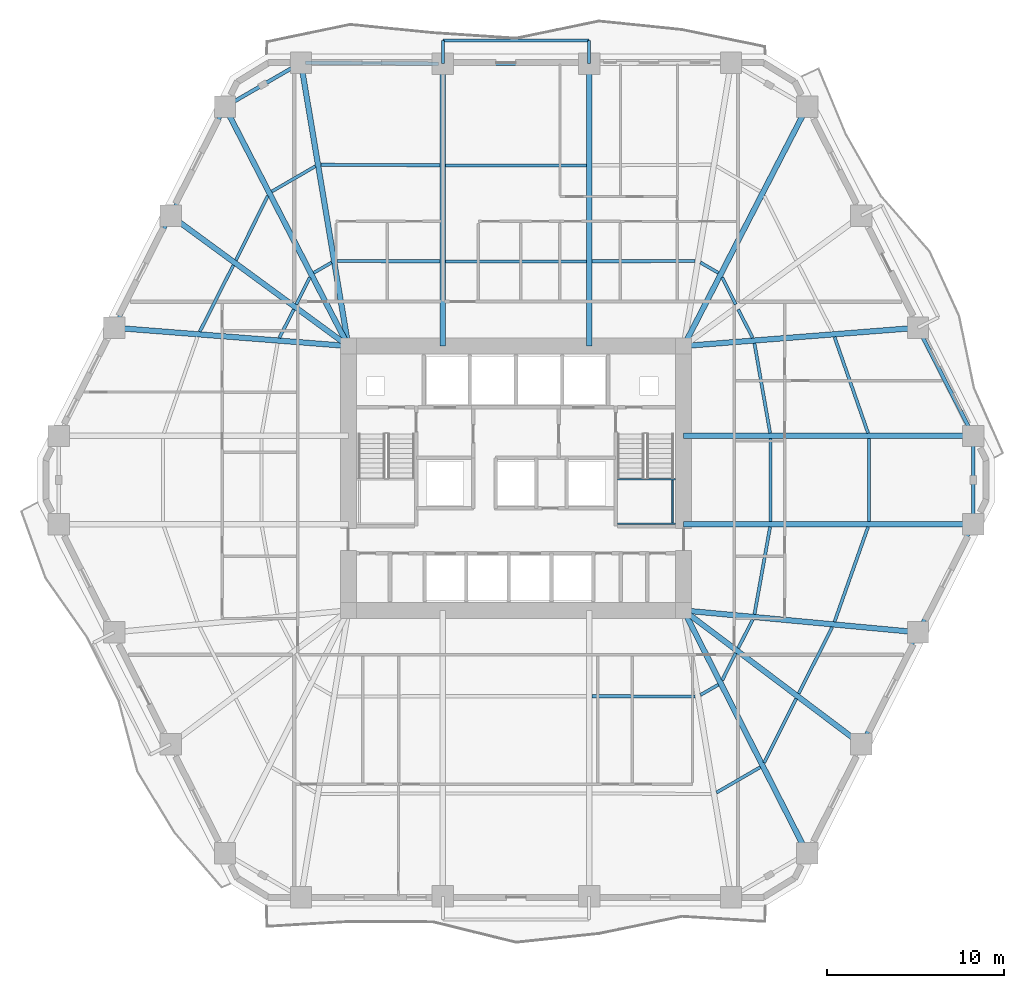
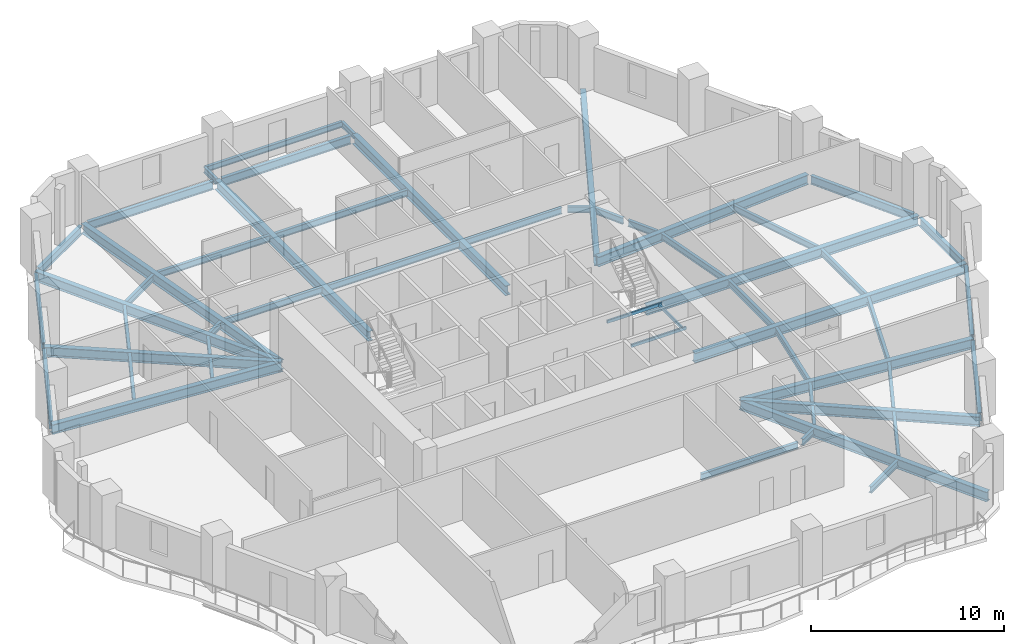
# One storey, part 2 of 11: 55 beams.
"""IFC4 building model written with IfcOpenShell, lengths in metres."""

from ifc_helpers import new_model, si_unit, direction, frame, origin, origin_2d, place, context, subcontext, project, spatial, hollow_rectangle, i_section, extrude, material, material_profile, profile_set, type_object, element, save


model = new_model("IFC4")

# Units and contexts
model_context = context("Model", 3, precision=1e-05, world=origin(), true_north=direction((0.0, 1.0)))
body_context = subcontext(model_context, "Body", "Model", "MODEL_VIEW")
ifc_project = project(units=[si_unit("LENGTHUNIT", "METRE"), si_unit("AREAUNIT", "SQUARE_METRE"), si_unit("VOLUMEUNIT", "CUBIC_METRE"), si_unit("PLANEANGLEUNIT", "RADIAN"), si_unit("MASSUNIT", "GRAM", prefix="KILO")], contexts=[model_context])

# Site, building, storey
site_placement = place(None, origin())
site = spatial("IfcSite", under=ifc_project, at=site_placement, CompositionType="ELEMENT")
building_placement = place(site_placement, origin())
building = spatial("IfcBuilding", under=site, at=building_placement, Name="Cinnabar Lancet Tower", CompositionType="ELEMENT")
storey_placement = place(building_placement, frame((0.0, 0.0, 46.199951171875)))
storey = spatial("IfcBuildingStorey", under=building, at=storey_placement, Name="L11", CompositionType="ELEMENT", Elevation=46.199951171875)

# Beams
ifc_material_1 = material(Name="Structural steel S355", Category="steel")
ifc_material_profile_1 = material_profile(ifc_material_1, i_section(OverallWidth=0.177978515625, OverallDepth=0.406494140625, WebThickness=0.0078125, FlangeThickness=0.0126953125, FilletRadius=0.01025390625, at=origin_2d()), Name="UKB 406x178x60")
ifc_profile_set_1 = profile_set([ifc_material_profile_1], Name="Structural steel S355")
beam_type_1 = type_object("IfcBeamType", Name="STR-BM-JST-406", PredefinedType="JOIST", material=ifc_profile_set_1)
beam_1_placement = place(storey_placement, frame((36.676025390625, 13.616943359375, -0.4228515625), z_axis=(0.999996723732, -0.002559790187, 0.0), x_axis=(0.002559790187, 0.999996723732, 0.0)))
element("IfcBeam", 1, at=beam_1_placement, inside=storey, type_object=beam_type_1, Name="L11 Secondary Floor Joist 14", PredefinedType="JOIST", context=body_context, shape_type="SweptSolid", body=[
    extrude(i_section(OverallWidth=0.177978515625, OverallDepth=0.406494140625, WebThickness=0.0078125, FlangeThickness=0.0126953125, FilletRadius=0.01025390625, at=origin_2d()), origin(), (0.0, 0.0, 1.0), 5.81787109375),
])
beam_2_placement = place(storey_placement, frame((43.698974609375, 8.18896484375, -0.4228515625), z_axis=(0.865076496111, 0.501639966387, 0.0), x_axis=(-0.501639966387, 0.865076496111, 0.0)))
element("IfcBeam", 2, at=beam_2_placement, inside=storey, type_object=beam_type_1, Name="L11 Secondary Floor Joist 15", PredefinedType="JOIST", context=body_context, shape_type="SweptSolid", body=[
    extrude(i_section(OverallWidth=0.177978515625, OverallDepth=0.406494140625, WebThickness=0.0078125, FlangeThickness=0.0126953125, FilletRadius=0.01025390625, at=origin_2d()), origin(), (0.0, 0.0, 1.0), 2.85302734375),
])
beam_3_placement = place(storey_placement, frame((42.7919921875, 13.68408203125, -0.4228515625), z_axis=(0.865192550274, 0.50143977799, 0.0), x_axis=(-0.50143977799, 0.865192550274, 0.0)))
element("IfcBeam", 3, at=beam_3_placement, inside=storey, type_object=beam_type_1, Name="L11 Secondary Floor Joist 16", PredefinedType="JOIST", context=body_context, shape_type="SweptSolid", body=[
    extrude(i_section(OverallWidth=0.177978515625, OverallDepth=0.406494140625, WebThickness=0.0078125, FlangeThickness=0.0126953125, FilletRadius=0.01025390625, at=origin_2d()), origin(), (0.0, 0.0, 1.0), 1.16845703125),
])
beam_4_placement = place(storey_placement, frame((46.385009765625, 9.867919921875, -0.4228515625), z_axis=(0.445835127839, 0.895115098065, 0.0), x_axis=(-0.895115098065, 0.445835127839, 0.0)))
element("IfcBeam", 4, at=beam_4_placement, inside=storey, type_object=beam_type_1, Name="L11 Secondary Floor Joist 17", PredefinedType="JOIST", context=body_context, shape_type="SweptSolid", body=[
    extrude(i_section(OverallWidth=0.177978515625, OverallDepth=0.406494140625, WebThickness=0.0078125, FlangeThickness=0.0126953125, FilletRadius=0.01025390625, at=origin_2d()), origin(), (0.0, 0.0, 1.0), 4.03955078125),
])
beam_5_placement = place(storey_placement, frame((44.02099609375, 14.51806640625, -0.4228515625), z_axis=(0.44578468599, 0.895140220154, 0.0), x_axis=(-0.895140220154, 0.44578468599, 0.0)))
element("IfcBeam", 5, at=beam_5_placement, inside=storey, type_object=beam_type_1, Name="L11 Secondary Floor Joist 18", PredefinedType="JOIST", context=body_context, shape_type="SweptSolid", body=[
    extrude(i_section(OverallWidth=0.177978515625, OverallDepth=0.406494140625, WebThickness=0.0078125, FlangeThickness=0.0126953125, FilletRadius=0.01025390625, at=origin_2d()), origin(), (0.0, 0.0, 1.0), 1.709228515625),
])
beam_6_placement = place(storey_placement, frame((48.325927734375, 13.762939453125, -0.4228515625), z_axis=(0.450717414682, 0.892666685893, 0.0), x_axis=(-0.892666685893, 0.450717414682, 0.0)))
element("IfcBeam", 6, at=beam_6_placement, inside=storey, type_object=beam_type_1, Name="L11 Secondary Floor Joist 19", PredefinedType="JOIST", context=body_context, shape_type="SweptSolid", body=[
    extrude(i_section(OverallWidth=0.177978515625, OverallDepth=0.406494140625, WebThickness=0.0078125, FlangeThickness=0.0126953125, FilletRadius=0.01025390625, at=origin_2d()), origin(), (0.0, 0.0, 1.0), 4.204345703125),
])
beam_7_placement = place(storey_placement, frame((44.923095703125, 16.326904296875, -0.4228515625), z_axis=(0.450411488104, 0.892821085875, 0.0), x_axis=(-0.892821085875, 0.450411488104, 0.0)))
element("IfcBeam", 7, at=beam_7_placement, inside=storey, type_object=beam_type_1, Name="L11 Secondary Floor Joist 20", PredefinedType="JOIST", context=body_context, shape_type="SweptSolid", body=[
    extrude(i_section(OverallWidth=0.177978515625, OverallDepth=0.406494140625, WebThickness=0.0078125, FlangeThickness=0.0126953125, FilletRadius=0.01025390625, at=origin_2d()), origin(), (0.0, 0.0, 1.0), 1.800048828125),
])
beam_8_placement = place(storey_placement, frame((50.347900390625, 17.81201171875, -0.4228515625), z_axis=(0.333387390151, 0.942789927867, 0.0), x_axis=(-0.942789927867, 0.333387390151, 0.0)))
element("IfcBeam", 8, at=beam_8_placement, inside=storey, type_object=beam_type_1, Name="L11 Secondary Floor Joist 21", PredefinedType="JOIST", context=body_context, shape_type="SweptSolid", body=[
    extrude(i_section(OverallWidth=0.177978515625, OverallDepth=0.406494140625, WebThickness=0.0078125, FlangeThickness=0.0126953125, FilletRadius=0.01025390625, at=origin_2d()), origin(), (0.0, 0.0, 1.0), 5.67236328125),
])
beam_9_placement = place(storey_placement, frame((45.8359375, 18.23291015625, -0.4228515625), z_axis=(0.176227857104, 0.984349400559, 0.0), x_axis=(-0.984349400559, 0.176227857104, 0.0)))
element("IfcBeam", 9, at=beam_9_placement, inside=storey, type_object=beam_type_1, Name="L11 Secondary Floor Joist 22", PredefinedType="JOIST", context=body_context, shape_type="SweptSolid", body=[
    extrude(i_section(OverallWidth=0.177978515625, OverallDepth=0.406494140625, WebThickness=0.0078125, FlangeThickness=0.0126953125, FilletRadius=0.01025390625, at=origin_2d()), origin(), (0.0, 0.0, 1.0), 5.00537109375),
])
for number, where, z_axis, x_axis, name in (
    (10, (52.2939453125, 23.468017578125, -0.4228515625), (0.0, 1.0, 0.0), (-1.0, 0.0, 0.0), "L11 Secondary Floor Joist 23"),
    (11, (46.7451171875, 23.468017578125, -0.4228515625), (0.0, 1.0, 0.0), (-1.0, 0.0, 0.0), "L11 Secondary Floor Joist 24"),
):
    element("IfcBeam", number, at=place(storey_placement, frame(where, z_axis=z_axis, x_axis=x_axis)), inside=storey, type_object=beam_type_1, Name=name, PredefinedType="JOIST", context=body_context, shape_type="SweptSolid", body=[
        extrude(i_section(OverallWidth=0.177978515625, OverallDepth=0.406494140625, WebThickness=0.0078125, FlangeThickness=0.0126953125, FilletRadius=0.01025390625, at=origin_2d()), origin(), (0.0, 0.0, 1.0), 4.6640625),
    ])
beam_10_placement = place(storey_placement, frame((52.239990234375, 28.43994140625, -0.4228515625), z_axis=(-0.329645522599, 0.944104776723, 0.0), x_axis=(-0.944104776723, -0.329645522599, 0.0)))
element("IfcBeam", 12, at=beam_10_placement, inside=storey, type_object=beam_type_1, Name="L11 Secondary Floor Joist 25", PredefinedType="JOIST", context=body_context, shape_type="SweptSolid", body=[
    extrude(i_section(OverallWidth=0.177978515625, OverallDepth=0.406494140625, WebThickness=0.0078125, FlangeThickness=0.0126953125, FilletRadius=0.01025390625, at=origin_2d()), origin(), (0.0, 0.0, 1.0), 5.73974609375),
])
beam_11_placement = place(storey_placement, frame((46.718994140625, 28.43994140625, -0.4228515625), z_axis=(-0.171867959611, 0.985119994954, 0.0), x_axis=(-0.985119994954, -0.171867959611, 0.0)))
element("IfcBeam", 13, at=beam_11_placement, inside=storey, type_object=beam_type_1, Name="L11 Secondary Floor Joist 26", PredefinedType="JOIST", context=body_context, shape_type="SweptSolid", body=[
    extrude(i_section(OverallWidth=0.177978515625, OverallDepth=0.406494140625, WebThickness=0.0078125, FlangeThickness=0.0126953125, FilletRadius=0.01025390625, at=origin_2d()), origin(), (0.0, 0.0, 1.0), 5.1435546875),
])
beam_12_placement = place(storey_placement, frame((45.73388671875, 33.806884765625, -0.4228515625), z_axis=(-0.450629740029, 0.892710948405, 0.0), x_axis=(-0.892710948405, -0.450629740029, 0.0)))
element("IfcBeam", 14, at=beam_12_placement, inside=storey, type_object=beam_type_1, Name="L11 Secondary Floor Joist 28", PredefinedType="JOIST", context=body_context, shape_type="SweptSolid", body=[
    extrude(i_section(OverallWidth=0.177978515625, OverallDepth=0.406494140625, WebThickness=0.0078125, FlangeThickness=0.0126953125, FilletRadius=0.01025390625, at=origin_2d()), origin(), (0.0, 0.0, 1.0), 1.79931640625),
])
beam_13_placement = place(storey_placement, frame((44.782958984375, 35.69189453125, -0.4228515625), z_axis=(-0.445556802404, 0.895253671219, 0.0), x_axis=(-0.895253671219, -0.445556802404, 0.0)))
element("IfcBeam", 15, at=beam_13_placement, inside=storey, type_object=beam_type_1, Name="L11 Secondary Floor Joist 30", PredefinedType="JOIST", context=body_context, shape_type="SweptSolid", body=[
    extrude(i_section(OverallWidth=0.177978515625, OverallDepth=0.406494140625, WebThickness=0.0078125, FlangeThickness=0.0126953125, FilletRadius=0.01025390625, at=origin_2d()), origin(), (0.0, 0.0, 1.0), 1.710205078125),
])
beam_14_placement = place(storey_placement, frame((43.802978515625, 37.469970703125, -0.4228515625), z_axis=(-0.865192550274, 0.50143977799, 0.0), x_axis=(-0.50143977799, -0.865192550274, 0.0)))
element("IfcBeam", 16, at=beam_14_placement, inside=storey, type_object=beam_type_1, Name="L11 Secondary Floor Joist 32", PredefinedType="JOIST", context=body_context, shape_type="SweptSolid", body=[
    extrude(i_section(OverallWidth=0.177978515625, OverallDepth=0.406494140625, WebThickness=0.0078125, FlangeThickness=0.0126953125, FilletRadius=0.01025390625, at=origin_2d()), origin(), (0.0, 0.0, 1.0), 1.16845703125),
])
beam_15_placement = place(storey_placement, frame((42.493896484375, 38.137939453125, -0.4228515625), z_axis=(-0.999996723732, -0.002559790187, 0.0), x_axis=(0.002559790187, -0.999996723732, 0.0)))
element("IfcBeam", 17, at=beam_15_placement, inside=storey, type_object=beam_type_1, Name="L11 Secondary Floor Joist 34", PredefinedType="JOIST", context=body_context, shape_type="SweptSolid", body=[
    extrude(i_section(OverallWidth=0.177978515625, OverallDepth=0.406494140625, WebThickness=0.0078125, FlangeThickness=0.0126953125, FilletRadius=0.01025390625, at=origin_2d()), origin(), (0.0, 0.0, 1.0), 5.81787109375),
])
for number, where, z_axis, x_axis, name in (
    (18, (36.367919921875, 43.531005859375, -0.4228515625), (-1.0, 0.0, 0.0), (0.0, -1.0, 0.0), "L11 Secondary Floor Joist 35"),
    (19, (36.367919921875, 38.1220703125, -0.4228515625), (-1.0, 0.0, 0.0), (0.0, -1.0, 0.0), "L11 Secondary Floor Joist 36"),
):
    element("IfcBeam", number, at=place(storey_placement, frame(where, z_axis=z_axis, x_axis=x_axis)), inside=storey, type_object=beam_type_1, Name=name, PredefinedType="JOIST", context=body_context, shape_type="SweptSolid", body=[
        extrude(i_section(OverallWidth=0.177978515625, OverallDepth=0.406494140625, WebThickness=0.0078125, FlangeThickness=0.0126953125, FilletRadius=0.01025390625, at=origin_2d()), origin(), (0.0, 0.0, 1.0), 7.93603515625),
    ])
beam_16_placement = place(storey_placement, frame((28.1240234375, 43.531982421875, -0.4228515625), z_axis=(-0.999988691939, 0.004755627628, 0.0), x_axis=(-0.004755627628, -0.999988691939, 0.0)))
element("IfcBeam", 20, at=beam_16_placement, inside=storey, type_object=beam_type_1, Name="L11 Secondary Floor Joist 37", PredefinedType="JOIST", context=body_context, shape_type="SweptSolid", body=[
    extrude(i_section(OverallWidth=0.177978515625, OverallDepth=0.406494140625, WebThickness=0.0078125, FlangeThickness=0.0126953125, FilletRadius=0.01025390625, at=origin_2d()), origin(), (0.0, 0.0, 1.0), 6.72509765625),
])
beam_17_placement = place(storey_placement, frame((28.1240234375, 38.123046875, -0.4228515625), z_axis=(-0.999996724007, 0.002559682773, 0.0), x_axis=(-0.002559682773, -0.999996724007, 0.0)))
element("IfcBeam", 21, at=beam_17_placement, inside=storey, type_object=beam_type_1, Name="L11 Secondary Floor Joist 38", PredefinedType="JOIST", context=body_context, shape_type="SweptSolid", body=[
    extrude(i_section(OverallWidth=0.177978515625, OverallDepth=0.406494140625, WebThickness=0.0078125, FlangeThickness=0.0126953125, FilletRadius=0.01025390625, at=origin_2d()), origin(), (0.0, 0.0, 1.0), 5.818115234375),
])
beam_18_placement = place(storey_placement, frame((21.10107421875, 43.48291015625, -0.4228515625), z_axis=(-0.865113631149, -0.50157592167, 0.0), x_axis=(0.50157592167, -0.865113631149, 0.0)))
element("IfcBeam", 22, at=beam_18_placement, inside=storey, type_object=beam_type_1, Name="L11 Secondary Floor Joist 39", PredefinedType="JOIST", context=body_context, shape_type="SweptSolid", body=[
    extrude(i_section(OverallWidth=0.177978515625, OverallDepth=0.406494140625, WebThickness=0.0078125, FlangeThickness=0.0126953125, FilletRadius=0.01025390625, at=origin_2d()), origin(), (0.0, 0.0, 1.0), 2.852783203125),
])
beam_19_placement = place(storey_placement, frame((22.008056640625, 38.055908203125, -0.4228515625), z_axis=(-0.865192550274, -0.50143977799, 0.0), x_axis=(0.50143977799, -0.865192550274, 0.0)))
element("IfcBeam", 23, at=beam_19_placement, inside=storey, type_object=beam_type_1, Name="L11 Secondary Floor Joist 40", PredefinedType="JOIST", context=body_context, shape_type="SweptSolid", body=[
    extrude(i_section(OverallWidth=0.177978515625, OverallDepth=0.406494140625, WebThickness=0.0078125, FlangeThickness=0.0126953125, FilletRadius=0.01025390625, at=origin_2d()), origin(), (0.0, 0.0, 1.0), 1.16845703125),
])
beam_20_placement = place(storey_placement, frame((18.4150390625, 41.804931640625, -0.4228515625), z_axis=(-0.445738672706, -0.895163133543, 0.0), x_axis=(0.895163133543, -0.445738672706, 0.0)))
element("IfcBeam", 24, at=beam_20_placement, inside=storey, type_object=beam_type_1, Name="L11 Secondary Floor Joist 41", PredefinedType="JOIST", context=body_context, shape_type="SweptSolid", body=[
    extrude(i_section(OverallWidth=0.177978515625, OverallDepth=0.406494140625, WebThickness=0.0078125, FlangeThickness=0.0126953125, FilletRadius=0.01025390625, at=origin_2d()), origin(), (0.0, 0.0, 1.0), 4.04052734375),
])
beam_21_placement = place(storey_placement, frame((20.779052734375, 37.222900390625, -0.4228515625), z_axis=(-0.445556802404, -0.895253671219, 0.0), x_axis=(0.895253671219, -0.445556802404, 0.0)))
element("IfcBeam", 25, at=beam_21_placement, inside=storey, type_object=beam_type_1, Name="L11 Secondary Floor Joist 42", PredefinedType="JOIST", context=body_context, shape_type="SweptSolid", body=[
    extrude(i_section(OverallWidth=0.177978515625, OverallDepth=0.406494140625, WebThickness=0.0078125, FlangeThickness=0.0126953125, FilletRadius=0.01025390625, at=origin_2d()), origin(), (0.0, 0.0, 1.0), 1.710205078125),
])
beam_22_placement = place(storey_placement, frame((16.47412109375, 37.908935546875, -0.4228515625), z_axis=(-0.450834254961, -0.89260768233, 0.0), x_axis=(0.89260768233, -0.450834254961, 0.0)))
element("IfcBeam", 26, at=beam_22_placement, inside=storey, type_object=beam_type_1, Name="L11 Secondary Floor Joist 43", PredefinedType="JOIST", context=body_context, shape_type="SweptSolid", body=[
    extrude(i_section(OverallWidth=0.177978515625, OverallDepth=0.406494140625, WebThickness=0.0078125, FlangeThickness=0.0126953125, FilletRadius=0.01025390625, at=origin_2d()), origin(), (0.0, 0.0, 1.0), 4.203369140625),
])
beam_23_placement = place(storey_placement, frame((19.876953125, 35.4130859375, -0.4228515625), z_axis=(-0.450737866707, -0.892656359142, 0.0), x_axis=(0.892656359142, -0.450737866707, 0.0)))
element("IfcBeam", 27, at=beam_23_placement, inside=storey, type_object=beam_type_1, Name="L11 Secondary Floor Joist 44", PredefinedType="JOIST", context=body_context, shape_type="SweptSolid", body=[
    extrude(i_section(OverallWidth=0.177978515625, OverallDepth=0.406494140625, WebThickness=0.0078125, FlangeThickness=0.0126953125, FilletRadius=0.01025390625, at=origin_2d()), origin(), (0.0, 0.0, 1.0), 1.79931640625),
])
ifc_material_2 = material(Name="Structural steel S355", Category="steel")
ifc_material_profile_2 = material_profile(ifc_material_2, hollow_rectangle(XDim=0.10009765625, YDim=0.199951171875, WallThickness=0.008056640625, InnerFilletRadius=0.00390625, OuterFilletRadius=0.011962890625, at=origin_2d()), Name="RHS 200x100x8")
ifc_profile_set_2 = profile_set([ifc_material_profile_2], Name="Structural steel S355")
beam_type_2 = type_object("IfcBeamType", Name="STR-BM-LND-203", PredefinedType="BEAM", material=ifc_profile_set_2)
for number, where, z_axis, x_axis, name in (
    (28, (38.1201171875, 23.330078125, 1.47509765625), (1.0, 0.0, 0.0), (0.0, 1.0, 0.0), "L11 ST-2-L11 Landing Support Beam S"),
    (29, (38.1201171875, 25.844970703125, 1.47509765625), (1.0, 0.0, 0.0), (0.0, 1.0, 0.0), "L11 ST-2-L11 Landing Support Beam N"),
):
    element("IfcBeam", number, at=place(storey_placement, frame(where, z_axis=z_axis, x_axis=x_axis)), inside=storey, type_object=beam_type_2, Name=name, PredefinedType="BEAM", context=body_context, shape_type="SweptSolid", body=[
        extrude(hollow_rectangle(XDim=0.10009765625, YDim=0.199951171875, WallThickness=0.008056640625, InnerFilletRadius=0.00390625, OuterFilletRadius=0.011962890625, at=origin_2d()), origin(), (0.0, 0.0, 1.0), 3.27978515625),
    ])
beam_24_placement = place(storey_placement, frame((41.219970703125, 23.3798828125, 1.47509765625), z_axis=(0.0, 1.0, 0.0), x_axis=(-1.0, 0.0, 0.0)))
element("IfcBeam", 30, at=beam_24_placement, inside=storey, type_object=beam_type_2, Name="L11 ST-2-L11 Landing Side Trimmer Beam", PredefinedType="BEAM", context=body_context, shape_type="SweptSolid", body=[
    extrude(hollow_rectangle(XDim=0.10009765625, YDim=0.199951171875, WallThickness=0.008056640625, InnerFilletRadius=0.00390625, OuterFilletRadius=0.011962890625, at=origin_2d()), origin(), (0.0, 0.0, 1.0), 2.4150390625),
])
ifc_material_3 = material(Name="Structural steel S355", Category="steel")
ifc_material_profile_3 = material_profile(ifc_material_3, i_section(OverallWidth=0.209228515625, OverallDepth=0.533203125, WebThickness=0.010009765625, FlangeThickness=0.015625, FilletRadius=0.0126953125, at=origin_2d()), Name="UKB 533x210x92")
ifc_profile_set_3 = profile_set([ifc_material_profile_3], Name="Structural steel S355")
beam_type_3 = type_object("IfcBeamType", Name="STR-BM-SPN-533", PredefinedType="SPANDREL", material=ifc_profile_set_3)
beam_25_placement = place(storey_placement, frame((51.971923828125, 11.132080078125, -0.487060546875), z_axis=(0.450703143926, 0.892673891214, 0.0), x_axis=(-0.892673891214, 0.450703143926, 0.0)))
element("IfcBeam", 31, at=beam_25_placement, inside=storey, type_object=beam_type_3, Name="L11 Perimeter Spandrel 6", PredefinedType="SPANDREL", context=body_context, shape_type="SweptSolid", body=[
    extrude(i_section(OverallWidth=0.209228515625, OverallDepth=0.533203125, WebThickness=0.010009765625, FlangeThickness=0.015625, FilletRadius=0.0126953125, at=origin_2d()), origin(), (0.0, 0.0, 1.0), 6.570068359375),
])
beam_26_placement = place(storey_placement, frame((55.159912109375, 17.443115234375, -0.487060546875), z_axis=(0.456024522632, 0.889967209934, 0.0), x_axis=(-0.889967209934, 0.456024522632, 0.0)))
element("IfcBeam", 32, at=beam_26_placement, inside=storey, type_object=beam_type_3, Name="L11 Perimeter Spandrel 7", PredefinedType="SPANDREL", context=body_context, shape_type="SweptSolid", body=[
    extrude(i_section(OverallWidth=0.209228515625, OverallDepth=0.533203125, WebThickness=0.010009765625, FlangeThickness=0.015625, FilletRadius=0.0126953125, at=origin_2d()), origin(), (0.0, 0.0, 1.0), 6.34619140625),
])
beam_27_placement = place(storey_placement, frame((58.16796875, 23.56396484375, -0.487060546875), z_axis=(0.0, 1.0, 0.0), x_axis=(-1.0, 0.0, 0.0)))
element("IfcBeam", 33, at=beam_27_placement, inside=storey, type_object=beam_type_3, Name="L11 Perimeter Spandrel 8", PredefinedType="SPANDREL", context=body_context, shape_type="SweptSolid", body=[
    extrude(i_section(OverallWidth=0.209228515625, OverallDepth=0.533203125, WebThickness=0.010009765625, FlangeThickness=0.015625, FilletRadius=0.0126953125, at=origin_2d()), origin(), (0.0, 0.0, 1.0), 4.471923828125),
])
beam_28_placement = place(storey_placement, frame((58.053955078125, 28.509033203125, -0.487060546875), z_axis=(-0.456024522632, 0.889967209934, 0.0), x_axis=(-0.889967209934, -0.456024522632, 0.0)))
element("IfcBeam", 34, at=beam_28_placement, inside=storey, type_object=beam_type_3, Name="L11 Perimeter Spandrel 9", PredefinedType="SPANDREL", context=body_context, shape_type="SweptSolid", body=[
    extrude(i_section(OverallWidth=0.209228515625, OverallDepth=0.533203125, WebThickness=0.010009765625, FlangeThickness=0.015625, FilletRadius=0.0126953125, at=origin_2d()), origin(), (0.0, 0.0, 1.0), 6.34619140625),
])
beam_29_placement = place(storey_placement, frame((36.27197265625, 49.258056640625, -0.487060546875), z_axis=(-1.0, 0.0, 0.0), x_axis=(0.0, -1.0, 0.0)))
element("IfcBeam", 35, at=beam_29_placement, inside=storey, type_object=beam_type_3, Name="L11 Perimeter Spandrel 14", PredefinedType="SPANDREL", context=body_context, shape_type="SweptSolid", body=[
    extrude(i_section(OverallWidth=0.209228515625, OverallDepth=0.533203125, WebThickness=0.010009765625, FlangeThickness=0.015625, FilletRadius=0.0126953125, at=origin_2d()), origin(), (0.0, 0.0, 1.0), 7.743896484375),
])
beam_30_placement = place(storey_placement, frame((28.028076171875, 49.260009765625, -0.487060546875), z_axis=(-0.99997856757, 0.006547090947, 0.0), x_axis=(-0.006547090947, -0.99997856757, 0.0)))
element("IfcBeam", 36, at=beam_30_placement, inside=storey, type_object=beam_type_3, Name="L11 Perimeter Spandrel 15", PredefinedType="SPANDREL", context=body_context, shape_type="SweptSolid", body=[
    extrude(i_section(OverallWidth=0.209228515625, OverallDepth=0.533203125, WebThickness=0.010009765625, FlangeThickness=0.015625, FilletRadius=0.0126953125, at=origin_2d()), origin(), (0.0, 0.0, 1.0), 7.495361328125),
])
beam_31_placement = place(storey_placement, frame((20.06689453125, 49.18603515625, -0.487060546875), z_axis=(-0.865147238596, -0.501517951374, 0.0), x_axis=(0.501517951374, -0.865147238596, 0.0)))
element("IfcBeam", 37, at=beam_31_placement, inside=storey, type_object=beam_type_3, Name="L11 Perimeter Spandrel 16", PredefinedType="SPANDREL", context=body_context, shape_type="SweptSolid", body=[
    extrude(i_section(OverallWidth=0.209228515625, OverallDepth=0.533203125, WebThickness=0.010009765625, FlangeThickness=0.015625, FilletRadius=0.0126953125, at=origin_2d()), origin(), (0.0, 0.0, 1.0), 4.454833984375),
])
beam_32_placement = place(storey_placement, frame((15.885986328125, 46.60302734375, -0.487060546875), z_axis=(-0.445953050023, -0.89505635419, 0.0), x_axis=(0.89505635419, -0.445953050023, 0.0)))
element("IfcBeam", 38, at=beam_32_placement, inside=storey, type_object=beam_type_3, Name="L11 Perimeter Spandrel 17", PredefinedType="SPANDREL", context=body_context, shape_type="SweptSolid", body=[
    extrude(i_section(OverallWidth=0.209228515625, OverallDepth=0.533203125, WebThickness=0.010009765625, FlangeThickness=0.015625, FilletRadius=0.0126953125, at=origin_2d()), origin(), (0.0, 0.0, 1.0), 6.35498046875),
])
beam_33_placement = place(storey_placement, frame((12.827880859375, 40.468017578125, -0.487060546875), z_axis=(-0.450673532306, -0.892688841242, 0.0), x_axis=(0.892688841242, -0.450673532306, 0.0)))
element("IfcBeam", 39, at=beam_33_placement, inside=storey, type_object=beam_type_3, Name="L11 Perimeter Spandrel 18", PredefinedType="SPANDREL", context=body_context, shape_type="SweptSolid", body=[
    extrude(i_section(OverallWidth=0.209228515625, OverallDepth=0.533203125, WebThickness=0.010009765625, FlangeThickness=0.015625, FilletRadius=0.0126953125, at=origin_2d()), origin(), (0.0, 0.0, 1.0), 6.570068359375),
])
ifc_material_4 = material(Name="Structural steel S355", Category="steel")
ifc_material_profile_4 = material_profile(ifc_material_4, i_section(OverallWidth=0.30712890625, OverallDepth=0.6201171875, WebThickness=0.01416015625, FlangeThickness=0.023681640625, FilletRadius=0.0166015625, at=origin_2d()), Name="UKB 610x305x179")
ifc_profile_set_4 = profile_set([ifc_material_profile_4], Name="Structural steel S355")
beam_type_4 = type_object("IfcBeamType", Name="STR-BM-UKB610-179", PredefinedType="BEAM", material=ifc_profile_set_4)
beam_34_placement = place(storey_placement, frame((51.85888671875, 10.908935546875, -0.530029296875), z_axis=(-0.798679534026, 0.601756596912, 0.0), x_axis=(-0.601756596912, -0.798679534026, 0.0)))
element("IfcBeam", 40, at=beam_34_placement, inside=storey, type_object=beam_type_4, Name="L11 Corner Collector Girder 2", PredefinedType="BEAM", context=body_context, shape_type="SweptSolid", body=[
    extrude(i_section(OverallWidth=0.30712890625, OverallDepth=0.6201171875, WebThickness=0.01416015625, FlangeThickness=0.023681640625, FilletRadius=0.0166015625, at=origin_2d()), origin(), (0.0, 0.0, 1.0), 12.53173828125),
])
beam_35_placement = place(storey_placement, frame((12.94091796875, 40.69091796875, -0.530029296875), z_axis=(0.806371852816, -0.591408856026, 0.0), x_axis=(0.591408856026, 0.806371852816, 0.0)))
element("IfcBeam", 41, at=beam_35_placement, inside=storey, type_object=beam_type_4, Name="L11 Corner Collector Girder 4", PredefinedType="BEAM", context=body_context, shape_type="SweptSolid", body=[
    extrude(i_section(OverallWidth=0.30712890625, OverallDepth=0.6201171875, WebThickness=0.01416015625, FlangeThickness=0.023681640625, FilletRadius=0.0166015625, at=origin_2d()), origin(), (0.0, 0.0, 1.0), 12.412353515625),
])
beam_36_placement = place(storey_placement, frame((48.802978515625, 4.77294921875, -0.530029296875), z_axis=(-0.453167599586, 0.89142533433, 0.0), x_axis=(-0.89142533433, -0.453167599586, 0.0)))
element("IfcBeam", 42, at=beam_36_placement, inside=storey, type_object=beam_type_4, Name="L11 Primary Floor Girder 5", PredefinedType="BEAM", context=body_context, shape_type="SweptSolid", body=[
    extrude(i_section(OverallWidth=0.30712890625, OverallDepth=0.6201171875, WebThickness=0.01416015625, FlangeThickness=0.023681640625, FilletRadius=0.0166015625, at=origin_2d()), origin(), (0.0, 0.0, 1.0), 15.3427734375),
])
beam_37_placement = place(storey_placement, frame((55.0458984375, 17.219970703125, -0.530029296875), z_axis=(-0.99568405159, 0.092807701238, 0.0), x_axis=(-0.092807701238, -0.99568405159, 0.0)))
element("IfcBeam", 43, at=beam_37_placement, inside=storey, type_object=beam_type_4, Name="L11 Primary Floor Girder 7", PredefinedType="BEAM", context=body_context, shape_type="SweptSolid", body=[
    extrude(i_section(OverallWidth=0.30712890625, OverallDepth=0.6201171875, WebThickness=0.01416015625, FlangeThickness=0.023681640625, FilletRadius=0.0166015625, at=origin_2d()), origin(), (0.0, 0.0, 1.0), 13.2529296875),
])
for number, where, z_axis, x_axis, name in (
    (44, (58.16796875, 23.31396484375, -0.530029296875), (-1.0, 0.0, 0.0), (0.0, -1.0, 0.0), "L11 Primary Floor Girder 8"),
    (45, (58.16796875, 28.285888671875, -0.530029296875), (-1.0, 0.0, 0.0), (0.0, -1.0, 0.0), "L11 Primary Floor Girder 9"),
):
    element("IfcBeam", number, at=place(storey_placement, frame(where, z_axis=z_axis, x_axis=x_axis)), inside=storey, type_object=beam_type_4, Name=name, PredefinedType="BEAM", context=body_context, shape_type="SweptSolid", body=[
        extrude(i_section(OverallWidth=0.30712890625, OverallDepth=0.6201171875, WebThickness=0.01416015625, FlangeThickness=0.023681640625, FilletRadius=0.0166015625, at=origin_2d()), origin(), (0.0, 0.0, 1.0), 16.31787109375),
    ])
beam_38_placement = place(storey_placement, frame((55.0458984375, 34.3798828125, -0.530029296875), z_axis=(-0.99696880683, -0.077802302076, 0.0), x_axis=(0.077802302076, -0.99696880683, 0.0)))
element("IfcBeam", 46, at=beam_38_placement, inside=storey, type_object=beam_type_4, Name="L11 Primary Floor Girder 10", PredefinedType="BEAM", context=body_context, shape_type="SweptSolid", body=[
    extrude(i_section(OverallWidth=0.30712890625, OverallDepth=0.6201171875, WebThickness=0.01416015625, FlangeThickness=0.023681640625, FilletRadius=0.0166015625, at=origin_2d()), origin(), (0.0, 0.0, 1.0), 13.23583984375),
])
beam_39_placement = place(storey_placement, frame((48.802978515625, 46.826904296875, -0.530029296875), z_axis=(-0.458492410387, -0.888698323177, 0.0), x_axis=(0.888698323177, -0.458492410387, 0.0)))
element("IfcBeam", 47, at=beam_39_placement, inside=storey, type_object=beam_type_4, Name="L11 Primary Floor Girder 12", PredefinedType="BEAM", context=body_context, shape_type="SweptSolid", body=[
    extrude(i_section(OverallWidth=0.30712890625, OverallDepth=0.6201171875, WebThickness=0.01416015625, FlangeThickness=0.023681640625, FilletRadius=0.0166015625, at=origin_2d()), origin(), (0.0, 0.0, 1.0), 15.16455078125),
])
for number, where, z_axis, x_axis, name in (
    (48, (36.52197265625, 49.258056640625, -0.530029296875), (0.0, -1.0, 0.0), (1.0, 0.0, 0.0), "L11 Primary Floor Girder 14"),
    (49, (28.278076171875, 49.258056640625, -0.530029296875), (0.0, -1.0, 0.0), (1.0, 0.0, 0.0), "L11 Primary Floor Girder 15"),
):
    element("IfcBeam", number, at=place(storey_placement, frame(where, z_axis=z_axis, x_axis=x_axis)), inside=storey, type_object=beam_type_4, Name=name, PredefinedType="BEAM", context=body_context, shape_type="SweptSolid", body=[
        extrude(i_section(OverallWidth=0.30712890625, OverallDepth=0.6201171875, WebThickness=0.01416015625, FlangeThickness=0.023681640625, FilletRadius=0.0166015625, at=origin_2d()), origin(), (0.0, 0.0, 1.0), 15.907958984375),
    ])
beam_40_placement = place(storey_placement, frame((20.282958984375, 49.31103515625, -0.530029296875), z_axis=(0.164809990854, -0.986325335229, 0.0), x_axis=(0.986325335229, 0.164809990854, 0.0)))
element("IfcBeam", 50, at=beam_40_placement, inside=storey, type_object=beam_type_4, Name="L11 Primary Floor Girder 16", PredefinedType="BEAM", context=body_context, shape_type="SweptSolid", body=[
    extrude(i_section(OverallWidth=0.30712890625, OverallDepth=0.6201171875, WebThickness=0.01416015625, FlangeThickness=0.023681640625, FilletRadius=0.0166015625, at=origin_2d()), origin(), (0.0, 0.0, 1.0), 16.18212890625),
])
beam_41_placement = place(storey_placement, frame((15.9970703125, 46.826904296875, -0.530029296875), z_axis=(0.458492410387, -0.888698323177, 0.0), x_axis=(0.888698323177, 0.458492410387, 0.0)))
element("IfcBeam", 51, at=beam_41_placement, inside=storey, type_object=beam_type_4, Name="L11 Primary Floor Girder 17", PredefinedType="BEAM", context=body_context, shape_type="SweptSolid", body=[
    extrude(i_section(OverallWidth=0.30712890625, OverallDepth=0.6201171875, WebThickness=0.01416015625, FlangeThickness=0.023681640625, FilletRadius=0.0166015625, at=origin_2d()), origin(), (0.0, 0.0, 1.0), 15.16455078125),
])
beam_42_placement = place(storey_placement, frame((9.75390625, 34.3798828125, -0.530029296875), z_axis=(0.99696891848, -0.077800871365, 0.0), x_axis=(0.077800871365, 0.99696891848, 0.0)))
element("IfcBeam", 52, at=beam_42_placement, inside=storey, type_object=beam_type_4, Name="L11 Primary Floor Girder 19", PredefinedType="BEAM", context=body_context, shape_type="SweptSolid", body=[
    extrude(i_section(OverallWidth=0.30712890625, OverallDepth=0.6201171875, WebThickness=0.01416015625, FlangeThickness=0.023681640625, FilletRadius=0.0166015625, at=origin_2d()), origin(), (0.0, 0.0, 1.0), 13.236083984375),
])
ifc_material_5 = material(Name="Structural steel S355", Category="steel")
ifc_material_profile_5 = material_profile(ifc_material_5, i_section(OverallWidth=0.17138671875, OverallDepth=0.35498046875, WebThickness=0.00732421875, FlangeThickness=0.011474609375, FilletRadius=0.01025390625, at=origin_2d()), Name="UKB 356x171x51")
ifc_profile_set_5 = profile_set([ifc_material_profile_5], Name="Structural steel S355")
beam_type_5 = type_object("IfcBeamType", Name="STR-BM-WAV-OUT", PredefinedType="BEAM", material=ifc_profile_set_5)
for number, where, z_axis, x_axis, name in (
    (53, (36.52197265625, 49.258056640625, -0.39794921875), (0.0, 1.0, 0.0), (-1.0, 0.0, 0.0), "L11 Face 4 Balcony Outlooker A"),
    (54, (28.278076171875, 49.258056640625, -0.39794921875), (0.0, 1.0, 0.0), (-1.0, 0.0, 0.0), "L11 Face 4 Balcony Outlooker B"),
):
    element("IfcBeam", number, at=place(storey_placement, frame(where, z_axis=z_axis, x_axis=x_axis)), inside=storey, type_object=beam_type_5, Name=name, PredefinedType="BEAM", context=body_context, shape_type="SweptSolid", body=[
        extrude(i_section(OverallWidth=0.17138671875, OverallDepth=0.35498046875, WebThickness=0.00732421875, FlangeThickness=0.011474609375, FilletRadius=0.01025390625, at=origin_2d()), origin(), (0.0, 0.0, 1.0), 1.300048828125),
    ])
ifc_material_6 = material(Name="Structural steel S355", Category="steel")
ifc_material_profile_6 = material_profile(ifc_material_6, i_section(OverallWidth=0.17138671875, OverallDepth=0.35498046875, WebThickness=0.00732421875, FlangeThickness=0.011474609375, FilletRadius=0.01025390625, at=origin_2d()), Name="UKB 356x171x51")
ifc_profile_set_6 = profile_set([ifc_material_profile_6], Name="Structural steel S355")
beam_type_6 = type_object("IfcBeamType", Name="STR-BM-WAV-TRIM", PredefinedType="SPANDREL", material=ifc_profile_set_6)
beam_43_placement = place(storey_placement, frame((36.52197265625, 50.55810546875, -0.39794921875), z_axis=(-1.0, 0.0, 0.0), x_axis=(0.0, -1.0, 0.0)))
element("IfcBeam", 55, at=beam_43_placement, inside=storey, type_object=beam_type_6, Name="L11 Face 4 Balcony Edge Trimmer", PredefinedType="SPANDREL", context=body_context, shape_type="SweptSolid", body=[
    extrude(i_section(OverallWidth=0.17138671875, OverallDepth=0.35498046875, WebThickness=0.00732421875, FlangeThickness=0.011474609375, FilletRadius=0.01025390625, at=origin_2d()), origin(), (0.0, 0.0, 1.0), 8.243896484375),
])

save(model, "model.ifc")
